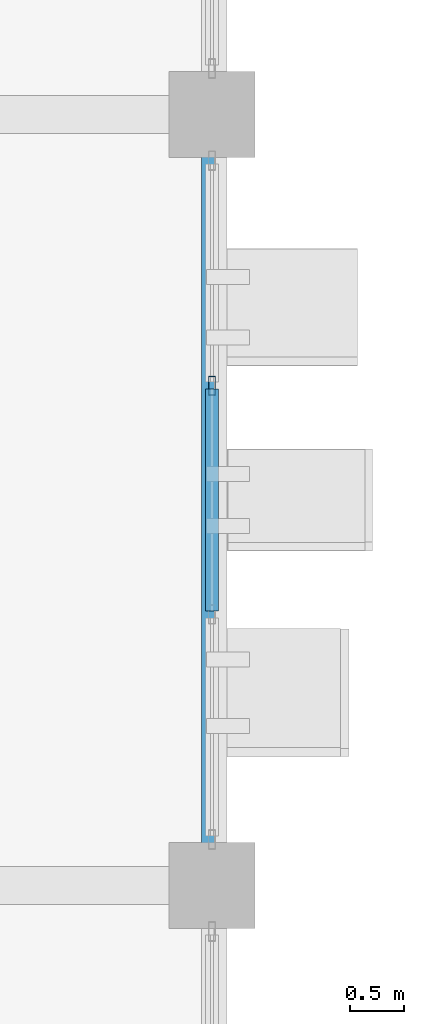
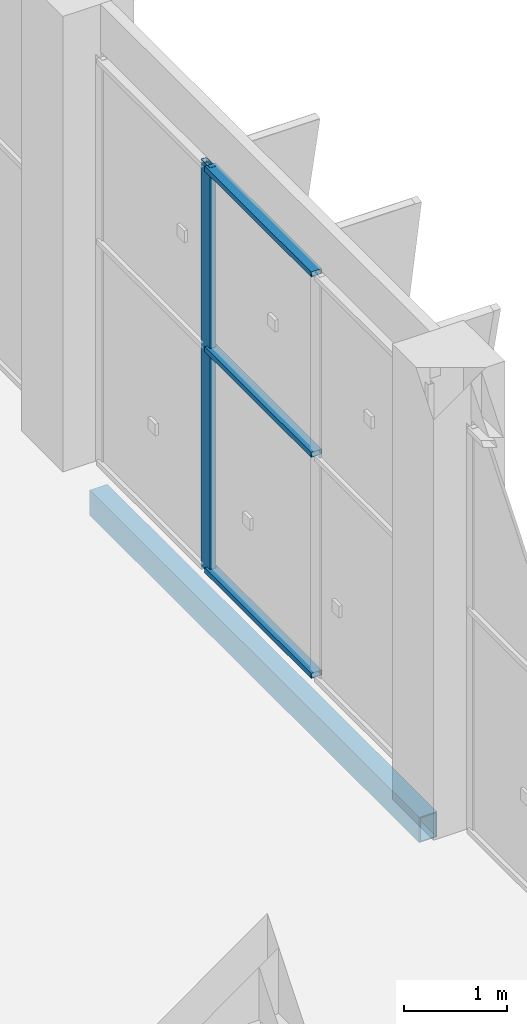
# One storey, part 42 of 137: 4 members, 1 beam, 1 element without a shape of its own.
"""IFC4 building model written with IfcOpenShell, lengths in metres."""

from ifc_helpers import new_model, si_unit, direction, frame, origin, origin_2d, place, context, subcontext, project, spatial, hollow_rectangle, extrude, material, layer, layer_set, material_profile, profile_set, type_object, element, aggregate, save


model = new_model("IFC4")

# Units and contexts
model_context = context("Model", 3, precision=1e-05, world=origin(), true_north=direction((0.0, 1.0)))
body_context = subcontext(model_context, "Body", "Model", "MODEL_VIEW")
ifc_project = project(units=[si_unit("LENGTHUNIT", "METRE"), si_unit("AREAUNIT", "SQUARE_METRE"), si_unit("VOLUMEUNIT", "CUBIC_METRE"), si_unit("PLANEANGLEUNIT", "RADIAN"), si_unit("MASSUNIT", "GRAM", prefix="KILO")], contexts=[model_context])

# Site, building, storey
site_placement = place(None, origin())
site = spatial("IfcSite", under=ifc_project, at=site_placement, CompositionType="ELEMENT")
building_placement = place(site_placement, origin())
building = spatial("IfcBuilding", under=site, at=building_placement, Name="Celestram Park Convention Centre", CompositionType="ELEMENT")
storey_placement = place(building_placement, origin())
storey = spatial("IfcBuildingStorey", under=building, at=storey_placement, Name="L00", CompositionType="ELEMENT", Elevation=0.0)

# Curtain wall, members
ifc_material_1 = material(Name="Anodised Aluminium Alloy 6063-T6", Category="aluminium")
ifc_layer = layer(ifc_material_1, 0.179931640625)
ifc_layer_set = layer_set([ifc_layer], Name="Anodised Aluminium Alloy 6063-T6")
curtain_wall_type = type_object("IfcCurtainWallType", Name="ARC-CW-640X482", PredefinedType="NOTDEFINED", material=ifc_layer_set)
curtain_wall_placement = place(storey_placement, origin())
curtain_wall = element("IfcCurtainWall", 1, at=curtain_wall_placement, inside=storey, type_object=curtain_wall_type, Name="Unitised curtain wall CU-L00-014", PredefinedType="NOTDEFINED")
ifc_material_profile_1 = material_profile(ifc_material_1, hollow_rectangle(XDim=0.06494140625, YDim=0.179931640625, WallThickness=0.00390625, at=origin_2d()), Name="ALU65X180X4")
ifc_profile_set_1 = profile_set([ifc_material_profile_1], Name="Anodised Aluminium Alloy 6063-T6")
member_type_1 = type_object("IfcMemberType", Name="ARC-CWM-150", PredefinedType="MULLION", material=ifc_profile_set_1)
member_1_placement = place(storey_placement, frame((144.0, 62.267333984375, 0.0), z_axis=(0.0, 0.0, 1.0), x_axis=(1.0, 0.0, 0.0)))
member_1 = element("IfcMember", 2, at=member_1_placement, type_object=member_type_1, Name="CW-64X48 mullion 2", PredefinedType="MULLION", context=body_context, shape_type="SweptSolid", body=[
    extrude(hollow_rectangle(XDim=0.06494140625, YDim=0.179931640625, WallThickness=0.00390625, at=origin_2d()), origin(), (0.0, 0.0, 1.0), 4.820068359375),
])
ifc_material_profile_2 = material_profile(ifc_material_1, hollow_rectangle(XDim=0.1201171875, YDim=0.06005859375, WallThickness=0.0029296875, at=origin_2d()), Name="ALU120X60X3")
ifc_profile_set_2 = profile_set([ifc_material_profile_2], Name="Anodised Aluminium Alloy 6063-T6")
member_type_2 = type_object("IfcMemberType", Name="ARC-CWT-120", PredefinedType="USERDEFINED", material=ifc_profile_set_2)
member_2_placement = place(storey_placement, frame((144.0, 62.23486328125, 0.030029296875), z_axis=(0.0, -1.0, 0.0), x_axis=(1.0, 0.0, 0.0)))
member_2 = element("IfcMember", 3, at=member_2_placement, type_object=member_type_2, Name="CW-64X48 transom 2.1", ObjectType="TRANSOM", PredefinedType="USERDEFINED", context=body_context, shape_type="SweptSolid", body=[
    extrude(hollow_rectangle(XDim=0.1201171875, YDim=0.06005859375, WallThickness=0.0029296875, at=origin_2d()), origin(), (0.0, 0.0, 1.0), 2.069580078125),
])
member_3_placement = place(storey_placement, frame((144.0, 62.23486328125, 2.64990234375), z_axis=(0.0, -1.0, 0.0), x_axis=(1.0, 0.0, 0.0)))
member_3 = element("IfcMember", 4, at=member_3_placement, type_object=member_type_2, Name="CW-64X48 transom 2.2", ObjectType="TRANSOM", PredefinedType="USERDEFINED", context=body_context, shape_type="SweptSolid", body=[
    extrude(hollow_rectangle(XDim=0.1201171875, YDim=0.06005859375, WallThickness=0.0029296875, at=origin_2d()), origin(), (0.0, 0.0, 1.0), 2.069580078125),
])
member_4_placement = place(storey_placement, frame((144.0, 62.23486328125, 4.7900390625), z_axis=(0.0, -1.0, 0.0), x_axis=(1.0, 0.0, 0.0)))
member_4 = element("IfcMember", 5, at=member_4_placement, type_object=member_type_2, Name="CW-64X48 transom 2.3", ObjectType="TRANSOM", PredefinedType="USERDEFINED", context=body_context, shape_type="SweptSolid", body=[
    extrude(hollow_rectangle(XDim=0.1201171875, YDim=0.06005859375, WallThickness=0.0029296875, at=origin_2d()), origin(), (0.0, 0.0, 1.0), 2.069580078125),
])
aggregate(curtain_wall, [member_1, member_2, member_3, member_4])

# Beam
ifc_material_2 = material(Name="Steel ASTM A500 Grade C", Category="steel")
ifc_material_profile_3 = material_profile(ifc_material_2, hollow_rectangle(XDim=0.199951171875, YDim=0.300048828125, WallThickness=0.011962890625, at=origin_2d()), Name="HSS300X200X12")
ifc_profile_set_3 = profile_set([ifc_material_profile_3], Name="Steel ASTM A500 Grade C")
beam_type = type_object("IfcBeamType", Name="STR-SPN-HSS300X200", PredefinedType="SPANDREL", material=ifc_profile_set_3)
beam_placement = place(storey_placement, frame((144.0, 57.998046875, -0.469970703125), z_axis=(0.0, 1.0, 0.0), x_axis=(-1.0, 0.0, 0.0)))
element("IfcBeam", 6, at=beam_placement, inside=storey, type_object=beam_type, Name="Primary Y-girder BG-L00-0673", PredefinedType="SPANDREL", context=body_context, shape_type="SweptSolid", body=[
    extrude(hollow_rectangle(XDim=0.199951171875, YDim=0.300048828125, WallThickness=0.011962890625, at=origin_2d()), origin(), (0.0, 0.0, 1.0), 6.404052734375),
])

save(model, "model.ifc")
